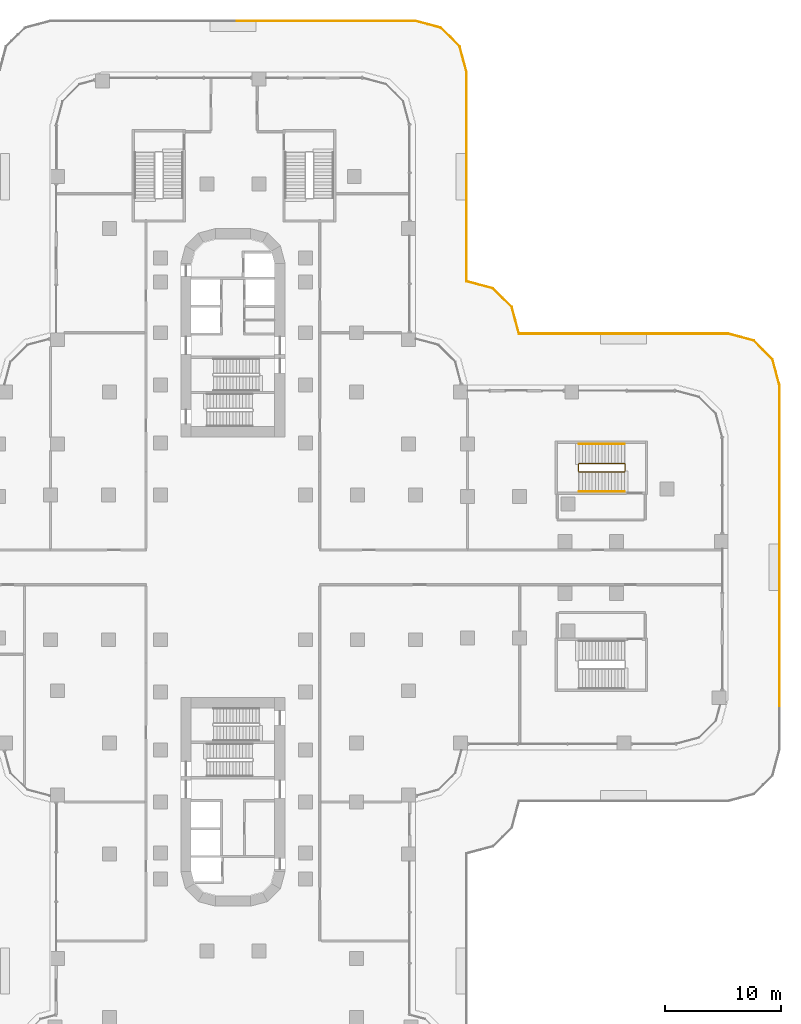
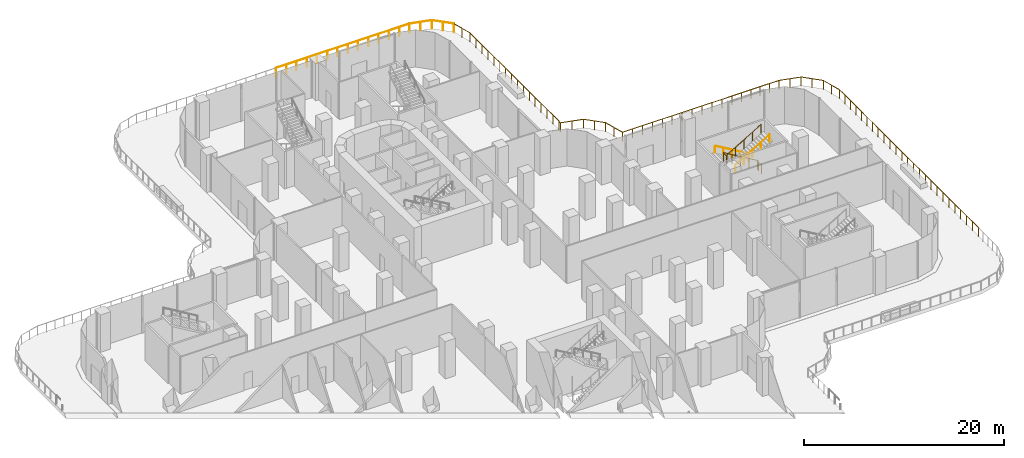
# One storey, part 26 of 27: 8 railings.
"""IFC4 building model written with IfcOpenShell, lengths in metres."""

from ifc_helpers import new_model, si_unit, direction, frame, origin, origin_2d, place, context, subcontext, project, spatial, circle, extrude, material, type_object, element, save


model = new_model("IFC4")

# Units and contexts
model_context = context("Model", 3, precision=1e-05, world=origin(), true_north=direction((0.0, 1.0)))
body_context = subcontext(model_context, "Body", "Model", "MODEL_VIEW")
ifc_project = project(units=[si_unit("LENGTHUNIT", "METRE"), si_unit("AREAUNIT", "SQUARE_METRE"), si_unit("VOLUMEUNIT", "CUBIC_METRE"), si_unit("PLANEANGLEUNIT", "RADIAN"), si_unit("MASSUNIT", "GRAM", prefix="KILO")], contexts=[model_context])

# Site, building, storey
site_placement = place(None, origin())
site = spatial("IfcSite", under=ifc_project, at=site_placement, CompositionType="ELEMENT")
building_placement = place(site_placement, origin())
building = spatial("IfcBuilding", under=site, at=building_placement, Name="Zarbagh Exchange Tower", CompositionType="ELEMENT")
storey_placement = place(building_placement, frame((0.0, 0.0, 17.0)))
storey = spatial("IfcBuildingStorey", under=building, at=storey_placement, Name="L03", CompositionType="ELEMENT", Elevation=17.0)

# Railings
ifc_material_1 = material(Name="Stainless steel", Category="steel")
railing_type_1 = type_object("IfcRailingType", Name="Stair guard 1100 mm", PredefinedType="GUARDRAIL", material=ifc_material_1)
railing_1_placement = place(storey_placement, frame((33.85009765625, 8.300048828125, 0.0)))
element("IfcRailing", 1, at=railing_1_placement, inside=storey, type_object=railing_type_1, Name="PS3 stair guard 1", PredefinedType="GUARDRAIL", context=body_context, shape_type="SweptSolid", body=[
    extrude(circle(Radius=0.02392578125, at=origin_2d()), frame((0.0, 0.0, 1.076171875), z_axis=(0.0, 1.0, 0.0), x_axis=(-1.0, 0.0, 0.0)), (0.0, 0.0, 1.0), 0.599853515625),
    extrude(circle(Radius=0.02392578125, at=origin_2d()), frame((0.0, 0.599853515625, 1.076171875), z_axis=(-0.27628659633, 0.27628659633, 0.920506074601), x_axis=(-0.707106781187, -0.707106781187, 0.0)), (0.0, 0.0, 1.0), 0.18115234375),
    extrude(circle(Radius=0.02392578125, at=origin_2d()), frame((-0.050048828125, 0.64990234375, 1.24267578125), z_axis=(-0.859310244771, 0.0, 0.511454693235), x_axis=(0.0, -1.0, 0.0)), (0.0, 0.0, 1.0), 4.56201171875),
    extrude(circle(Radius=0.02392578125, at=origin_2d()), frame((-3.97021484375, 0.64990234375, 3.576171875), z_axis=(-0.705375805398, -0.708833529934, 0.0), x_axis=(0.708833529934, -0.705375805398, 0.0)), (0.0, 0.0, 1.0), 0.070556640625),
    extrude(circle(Radius=0.02392578125, at=origin_2d()), frame((-4.02001953125, 0.599853515625, 3.576171875), z_axis=(0.0, -1.0, 0.0), x_axis=(1.0, 0.0, 0.0)), (0.0, 0.0, 1.0), 0.599853515625),
    extrude(circle(Radius=0.02392578125, at=origin_2d()), frame((-4.02001953125, 0.0, 3.576171875), z_axis=(0.275041040955, -0.276389281352, 0.920848191041), x_axis=(0.708833529934, 0.705375805398, 0.0)), (0.0, 0.0, 1.0), 0.18115234375),
    extrude(circle(Radius=0.02392578125, at=origin_2d()), frame((-3.97021484375, -0.050048828125, 3.74267578125), z_axis=(0.859310244771, 0.0, 0.511454693235), x_axis=(0.0, 1.0, 0.0)), (0.0, 0.0, 1.0), 4.56201171875),
    extrude(circle(Radius=0.02099609375, at=origin_2d()), origin(), (0.0, 0.0, 1.0), 1.052001953125),
    extrude(circle(Radius=0.02099609375, at=origin_2d()), frame((0.0, 0.599853515625, 0.0)), (0.0, 0.0, 1.0), 1.052001953125),
    extrude(circle(Radius=0.02099609375, at=origin_2d()), frame((-0.050048828125, 0.64990234375, 0.166748046875)), (0.0, 0.0, 1.0), 1.052001953125),
    extrude(circle(Radius=0.02099609375, at=origin_2d()), frame((-1.030029296875, 0.64990234375, 0.75)), (0.0, 0.0, 1.0), 1.052001953125),
    extrude(circle(Radius=0.02099609375, at=origin_2d()), frame((-2.01025390625, 0.64990234375, 1.33349609375)), (0.0, 0.0, 1.0), 1.052001953125),
    extrude(circle(Radius=0.02099609375, at=origin_2d()), frame((-2.990234375, 0.64990234375, 1.916748046875)), (0.0, 0.0, 1.0), 1.052001953125),
    extrude(circle(Radius=0.02099609375, at=origin_2d()), frame((-3.97021484375, 0.64990234375, 2.5)), (0.0, 0.0, 1.0), 1.052001953125),
    extrude(circle(Radius=0.02099609375, at=origin_2d()), frame((-4.02001953125, 0.599853515625, 2.5)), (0.0, 0.0, 1.0), 1.052001953125),
    extrude(circle(Radius=0.02099609375, at=origin_2d()), frame((-4.02001953125, 0.0, 2.5)), (0.0, 0.0, 1.0), 1.052001953125),
    extrude(circle(Radius=0.02099609375, at=origin_2d()), frame((-3.97021484375, -0.050048828125, 2.666748046875)), (0.0, 0.0, 1.0), 1.052001953125),
    extrude(circle(Radius=0.02099609375, at=origin_2d()), frame((-2.990234375, -0.050048828125, 3.25)), (0.0, 0.0, 1.0), 1.052001953125),
    extrude(circle(Radius=0.02099609375, at=origin_2d()), frame((-2.01025390625, -0.050048828125, 3.83349609375)), (0.0, 0.0, 1.0), 1.052001953125),
    extrude(circle(Radius=0.02099609375, at=origin_2d()), frame((-1.030029296875, -0.050048828125, 4.416748046875)), (0.0, 0.0, 1.0), 1.052001953125),
    extrude(circle(Radius=0.02099609375, at=origin_2d()), frame((-0.050048828125, -0.050048828125, 5.0)), (0.0, 0.0, 1.0), 1.052001953125),
])
railing_type_2 = type_object("IfcRailingType", Name="Stair handrail 900 mm", PredefinedType="HANDRAIL", material=ifc_material_1)
railing_2_placement = place(storey_placement, frame((33.800048828125, 10.64990234375, 0.166748046875)))
element("IfcRailing", 2, at=railing_2_placement, inside=storey, type_object=railing_type_2, Name="PS3 stair handrail 1", PredefinedType="HANDRAIL", context=body_context, shape_type="SweptSolid", body=[
    extrude(circle(Radius=0.02392578125, at=origin_2d()), frame((0.0, 0.0, 0.8759765625), z_axis=(-0.859310244771, 0.0, 0.511454693235), x_axis=(0.0, -1.0, 0.0)), (0.0, 0.0, 1.0), 4.56201171875),
    extrude(circle(Radius=0.02099609375, at=origin_2d()), origin(), (0.0, 0.0, 1.0), 0.851806640625),
    extrude(circle(Radius=0.02099609375, at=origin_2d()), frame((-0.97998046875, 0.0, 0.583251953125)), (0.0, 0.0, 1.0), 0.851806640625),
    extrude(circle(Radius=0.02099609375, at=origin_2d()), frame((-1.9599609375, 0.0, 1.16650390625)), (0.0, 0.0, 1.0), 0.851806640625),
    extrude(circle(Radius=0.02099609375, at=origin_2d()), frame((-2.940185546875, 0.0, 1.75)), (0.0, 0.0, 1.0), 0.851806640625),
    extrude(circle(Radius=0.02099609375, at=origin_2d()), frame((-3.920166015625, 0.0, 2.333251953125)), (0.0, 0.0, 1.0), 0.851806640625),
])
railing_3_placement = place(storey_placement, frame((29.8798828125, 6.550048828125, 2.666748046875)))
element("IfcRailing", 3, at=railing_3_placement, inside=storey, type_object=railing_type_2, Name="PS3 stair handrail 2", PredefinedType="HANDRAIL", context=body_context, shape_type="SweptSolid", body=[
    extrude(circle(Radius=0.02392578125, at=origin_2d()), frame((0.0, 0.0, 0.8759765625), z_axis=(0.859310244771, 0.0, 0.511454693235), x_axis=(0.0, 1.0, 0.0)), (0.0, 0.0, 1.0), 4.56201171875),
    extrude(circle(Radius=0.02099609375, at=origin_2d()), origin(), (0.0, 0.0, 1.0), 0.851806640625),
    extrude(circle(Radius=0.02099609375, at=origin_2d()), frame((0.97998046875, 0.0, 0.583251953125)), (0.0, 0.0, 1.0), 0.851806640625),
    extrude(circle(Radius=0.02099609375, at=origin_2d()), frame((1.9599609375, 0.0, 1.16650390625)), (0.0, 0.0, 1.0), 0.851806640625),
    extrude(circle(Radius=0.02099609375, at=origin_2d()), frame((2.940185546875, 0.0, 1.75)), (0.0, 0.0, 1.0), 0.851806640625),
    extrude(circle(Radius=0.02099609375, at=origin_2d()), frame((3.920166015625, 0.0, 2.333251953125)), (0.0, 0.0, 1.0), 0.851806640625),
])
ifc_material_2 = material(Name="Stainless steel and laminated glass", Category="steel")
railing_type_3 = type_object("IfcRailingType", Name="Terrace guard, glass balustrade 1.1 m", PredefinedType="GUARDRAIL", material=ifc_material_2)
railing_4_placement = place(storey_placement, frame((0.34033203125, 47.169921875, 0.0)))
element("IfcRailing", 4, at=railing_4_placement, inside=storey, type_object=railing_type_3, Name="TG01 terrace guard", PredefinedType="GUARDRAIL", context=body_context, shape_type="SweptSolid", body=[
    extrude(circle(Radius=0.02490234375, at=origin_2d()), frame((0.0, 0.0, 1.0751953125), z_axis=(1.0, 0.0, 0.0), x_axis=(0.0, 1.0, 0.0)), (0.0, 0.0, 1.0), 15.399169921875),
    extrude(circle(Radius=0.02490234375, at=origin_2d()), frame((15.399169921875, 0.0, 1.0751953125), z_axis=(0.965936192935, -0.258780353152, 0.0), x_axis=(0.258780353152, 0.965936192935, 0.0)), (0.0, 0.0, 1.0), 2.29736328125),
    extrude(circle(Radius=0.02490234375, at=origin_2d()), frame((17.6181640625, -0.594482421875, 1.0751953125), z_axis=(0.707106781187, -0.707106781187, 0.0), x_axis=(0.707106781187, 0.707106781187, 0.0)), (0.0, 0.0, 1.0), 2.28662109375),
    extrude(circle(Radius=0.02490234375, at=origin_2d()), frame((19.235107421875, -2.21142578125, 1.0751953125), z_axis=(0.259456511346, -0.965754792233, 0.0), x_axis=(0.965754792233, 0.259456511346, 0.0)), (0.0, 0.0, 1.0), 0.016845703125),
    extrude(circle(Radius=0.02490234375, at=origin_2d()), origin(), (0.0, 0.0, 1.0), 1.050048828125),
    extrude(circle(Radius=0.02490234375, at=origin_2d()), frame((1.1845703125, 0.0, 0.0)), (0.0, 0.0, 1.0), 1.050048828125),
    extrude(circle(Radius=0.02490234375, at=origin_2d()), frame((2.369140625, 0.0, 0.0)), (0.0, 0.0, 1.0), 1.050048828125),
    extrude(circle(Radius=0.02490234375, at=origin_2d()), frame((3.5537109375, 0.0, 0.0)), (0.0, 0.0, 1.0), 1.050048828125),
    extrude(circle(Radius=0.02490234375, at=origin_2d()), frame((4.73828125, 0.0, 0.0)), (0.0, 0.0, 1.0), 1.050048828125),
    extrude(circle(Radius=0.02490234375, at=origin_2d()), frame((5.9228515625, 0.0, 0.0)), (0.0, 0.0, 1.0), 1.050048828125),
    extrude(circle(Radius=0.02490234375, at=origin_2d()), frame((7.107421875, 0.0, 0.0)), (0.0, 0.0, 1.0), 1.050048828125),
    extrude(circle(Radius=0.02490234375, at=origin_2d()), frame((8.291748046875, 0.0, 0.0)), (0.0, 0.0, 1.0), 1.050048828125),
    extrude(circle(Radius=0.02490234375, at=origin_2d()), frame((9.476318359375, 0.0, 0.0)), (0.0, 0.0, 1.0), 1.050048828125),
    extrude(circle(Radius=0.02490234375, at=origin_2d()), frame((10.660888671875, 0.0, 0.0)), (0.0, 0.0, 1.0), 1.050048828125),
    extrude(circle(Radius=0.02490234375, at=origin_2d()), frame((11.845458984375, 0.0, 0.0)), (0.0, 0.0, 1.0), 1.050048828125),
    extrude(circle(Radius=0.02490234375, at=origin_2d()), frame((13.030029296875, 0.0, 0.0)), (0.0, 0.0, 1.0), 1.050048828125),
    extrude(circle(Radius=0.02490234375, at=origin_2d()), frame((14.214599609375, 0.0, 0.0)), (0.0, 0.0, 1.0), 1.050048828125),
    extrude(circle(Radius=0.02490234375, at=origin_2d()), frame((15.399169921875, 0.0, 0.0)), (0.0, 0.0, 1.0), 1.050048828125),
    extrude(circle(Radius=0.02490234375, at=origin_2d()), frame((16.5087890625, -0.29736328125, 0.0)), (0.0, 0.0, 1.0), 1.050048828125),
    extrude(circle(Radius=0.02490234375, at=origin_2d()), frame((17.6181640625, -0.594482421875, 0.0)), (0.0, 0.0, 1.0), 1.050048828125),
    extrude(circle(Radius=0.02490234375, at=origin_2d()), frame((18.4267578125, -1.40283203125, 0.0)), (0.0, 0.0, 1.0), 1.050048828125),
    extrude(circle(Radius=0.02490234375, at=origin_2d()), frame((19.235107421875, -2.21142578125, 0.0)), (0.0, 0.0, 1.0), 1.050048828125),
    extrude(circle(Radius=0.02490234375, at=origin_2d()), frame((19.239501953125, -2.227783203125, 0.0)), (0.0, 0.0, 1.0), 1.050048828125),
])
railing_5_placement = place(storey_placement, frame((19.579833984375, 44.942138671875, 0.0)))
element("IfcRailing", 5, at=railing_5_placement, inside=storey, type_object=railing_type_3, Name="TG01 terrace guard", PredefinedType="GUARDRAIL", context=body_context, shape_type="SweptSolid", body=[
    extrude(circle(Radius=0.02490234375, at=origin_2d()), frame((0.0, 0.0, 1.0751953125), z_axis=(0.25877533038, -0.965937538554, 0.0), x_axis=(0.965937538554, 0.25877533038, 0.0)), (0.0, 0.0, 1.0), 2.2802734375),
    extrude(circle(Radius=0.02490234375, at=origin_2d()), frame((0.590087890625, -2.20263671875, 1.0751953125), z_axis=(0.0, -1.0, 0.0), x_axis=(1.0, 0.0, 0.0)), (0.0, 0.0, 1.0), 17.7197265625),
    extrude(circle(Radius=0.02490234375, at=origin_2d()), origin(), (0.0, 0.0, 1.0), 1.050048828125),
    extrude(circle(Radius=0.02490234375, at=origin_2d()), frame((0.294921875, -1.101318359375, 0.0)), (0.0, 0.0, 1.0), 1.050048828125),
    extrude(circle(Radius=0.02490234375, at=origin_2d()), frame((0.590087890625, -2.20263671875, 0.0)), (0.0, 0.0, 1.0), 1.050048828125),
    extrude(circle(Radius=0.02490234375, at=origin_2d()), frame((0.590087890625, -3.384033203125, 0.0)), (0.0, 0.0, 1.0), 1.050048828125),
    extrude(circle(Radius=0.02490234375, at=origin_2d()), frame((0.590087890625, -4.565185546875, 0.0)), (0.0, 0.0, 1.0), 1.050048828125),
    extrude(circle(Radius=0.02490234375, at=origin_2d()), frame((0.590087890625, -5.74658203125, 0.0)), (0.0, 0.0, 1.0), 1.050048828125),
    extrude(circle(Radius=0.02490234375, at=origin_2d()), frame((0.590087890625, -6.927978515625, 0.0)), (0.0, 0.0, 1.0), 1.050048828125),
    extrude(circle(Radius=0.02490234375, at=origin_2d()), frame((0.590087890625, -8.109130859375, 0.0)), (0.0, 0.0, 1.0), 1.050048828125),
    extrude(circle(Radius=0.02490234375, at=origin_2d()), frame((0.590087890625, -9.29052734375, 0.0)), (0.0, 0.0, 1.0), 1.050048828125),
    extrude(circle(Radius=0.02490234375, at=origin_2d()), frame((0.590087890625, -10.471923828125, 0.0)), (0.0, 0.0, 1.0), 1.050048828125),
    extrude(circle(Radius=0.02490234375, at=origin_2d()), frame((0.590087890625, -11.653076171875, 0.0)), (0.0, 0.0, 1.0), 1.050048828125),
    extrude(circle(Radius=0.02490234375, at=origin_2d()), frame((0.590087890625, -12.83447265625, 0.0)), (0.0, 0.0, 1.0), 1.050048828125),
    extrude(circle(Radius=0.02490234375, at=origin_2d()), frame((0.590087890625, -14.015869140625, 0.0)), (0.0, 0.0, 1.0), 1.050048828125),
    extrude(circle(Radius=0.02490234375, at=origin_2d()), frame((0.590087890625, -15.197021484375, 0.0)), (0.0, 0.0, 1.0), 1.050048828125),
    extrude(circle(Radius=0.02490234375, at=origin_2d()), frame((0.590087890625, -16.37841796875, 0.0)), (0.0, 0.0, 1.0), 1.050048828125),
    extrude(circle(Radius=0.02490234375, at=origin_2d()), frame((0.590087890625, -17.559814453125, 0.0)), (0.0, 0.0, 1.0), 1.050048828125),
    extrude(circle(Radius=0.02490234375, at=origin_2d()), frame((0.590087890625, -18.740966796875, 0.0)), (0.0, 0.0, 1.0), 1.050048828125),
    extrude(circle(Radius=0.02490234375, at=origin_2d()), frame((0.590087890625, -19.92236328125, 0.0)), (0.0, 0.0, 1.0), 1.050048828125),
])
railing_6_placement = place(storey_placement, frame((20.169921875, 25.019775390625, 0.0)))
element("IfcRailing", 6, at=railing_6_placement, inside=storey, type_object=railing_type_3, Name="TG01 terrace guard", PredefinedType="GUARDRAIL", context=body_context, shape_type="SweptSolid", body=[
    extrude(circle(Radius=0.02490234375, at=origin_2d()), frame((0.0, 0.0, 1.0751953125), z_axis=(0.0, -1.0, 0.0), x_axis=(1.0, 0.0, 0.0)), (0.0, 0.0, 1.0), 0.3310546875),
    extrude(circle(Radius=0.02490234375, at=origin_2d()), frame((0.0, -0.3310546875, 1.0751953125), z_axis=(0.965919533457, -0.258842529128, 0.0), x_axis=(0.258842529128, 0.965919533457, 0.0)), (0.0, 0.0, 1.0), 2.369384765625),
    extrude(circle(Radius=0.02490234375, at=origin_2d()), frame((2.28857421875, -0.9443359375, 1.0751953125), z_axis=(0.707106781187, -0.707106781187, 0.0), x_axis=(0.707106781187, 0.707106781187, 0.0)), (0.0, 0.0, 1.0), 2.28662109375),
    extrude(circle(Radius=0.02490234375, at=origin_2d()), frame((3.905517578125, -2.561279296875, 1.0751953125), z_axis=(0.258842529128, -0.965919533457, 0.0), x_axis=(0.965919533457, 0.258842529128, 0.0)), (0.0, 0.0, 1.0), 2.369384765625),
    extrude(circle(Radius=0.02490234375, at=origin_2d()), frame((4.518798828125, -4.849853515625, 1.0751953125), z_axis=(1.0, 0.0, 0.0), x_axis=(0.0, 1.0, 0.0)), (0.0, 0.0, 1.0), 12.6435546875),
    extrude(circle(Radius=0.02490234375, at=origin_2d()), origin(), (0.0, 0.0, 1.0), 1.050048828125),
    extrude(circle(Radius=0.02490234375, at=origin_2d()), frame((0.0, -0.3310546875, 0.0)), (0.0, 0.0, 1.0), 1.050048828125),
    extrude(circle(Radius=0.02490234375, at=origin_2d()), frame((1.144287109375, -0.6376953125, 0.0)), (0.0, 0.0, 1.0), 1.050048828125),
    extrude(circle(Radius=0.02490234375, at=origin_2d()), frame((2.28857421875, -0.9443359375, 0.0)), (0.0, 0.0, 1.0), 1.050048828125),
    extrude(circle(Radius=0.02490234375, at=origin_2d()), frame((3.09716796875, -1.7529296875, 0.0)), (0.0, 0.0, 1.0), 1.050048828125),
    extrude(circle(Radius=0.02490234375, at=origin_2d()), frame((3.905517578125, -2.561279296875, 0.0)), (0.0, 0.0, 1.0), 1.050048828125),
    extrude(circle(Radius=0.02490234375, at=origin_2d()), frame((4.212158203125, -3.70556640625, 0.0)), (0.0, 0.0, 1.0), 1.050048828125),
    extrude(circle(Radius=0.02490234375, at=origin_2d()), frame((4.518798828125, -4.849853515625, 0.0)), (0.0, 0.0, 1.0), 1.050048828125),
    extrude(circle(Radius=0.02490234375, at=origin_2d()), frame((5.668212890625, -4.849853515625, 0.0)), (0.0, 0.0, 1.0), 1.050048828125),
    extrude(circle(Radius=0.02490234375, at=origin_2d()), frame((6.817626953125, -4.849853515625, 0.0)), (0.0, 0.0, 1.0), 1.050048828125),
    extrude(circle(Radius=0.02490234375, at=origin_2d()), frame((7.967041015625, -4.849853515625, 0.0)), (0.0, 0.0, 1.0), 1.050048828125),
    extrude(circle(Radius=0.02490234375, at=origin_2d()), frame((9.116455078125, -4.849853515625, 0.0)), (0.0, 0.0, 1.0), 1.050048828125),
    extrude(circle(Radius=0.02490234375, at=origin_2d()), frame((10.265869140625, -4.849853515625, 0.0)), (0.0, 0.0, 1.0), 1.050048828125),
    extrude(circle(Radius=0.02490234375, at=origin_2d()), frame((11.415283203125, -4.849853515625, 0.0)), (0.0, 0.0, 1.0), 1.050048828125),
    extrude(circle(Radius=0.02490234375, at=origin_2d()), frame((12.564697265625, -4.849853515625, 0.0)), (0.0, 0.0, 1.0), 1.050048828125),
    extrude(circle(Radius=0.02490234375, at=origin_2d()), frame((13.714111328125, -4.849853515625, 0.0)), (0.0, 0.0, 1.0), 1.050048828125),
    extrude(circle(Radius=0.02490234375, at=origin_2d()), frame((14.863525390625, -4.849853515625, 0.0)), (0.0, 0.0, 1.0), 1.050048828125),
    extrude(circle(Radius=0.02490234375, at=origin_2d()), frame((16.012939453125, -4.849853515625, 0.0)), (0.0, 0.0, 1.0), 1.050048828125),
    extrude(circle(Radius=0.02490234375, at=origin_2d()), frame((17.162353515625, -4.849853515625, 0.0)), (0.0, 0.0, 1.0), 1.050048828125),
])
railing_7_placement = place(storey_placement, frame((37.332275390625, 20.169921875, 0.0)))
element("IfcRailing", 7, at=railing_7_placement, inside=storey, type_object=railing_type_3, Name="TG01 terrace guard", PredefinedType="GUARDRAIL", context=body_context, shape_type="SweptSolid", body=[
    extrude(circle(Radius=0.02490234375, at=origin_2d()), frame((0.0, 0.0, 1.0751953125), z_axis=(1.0, 0.0, 0.0), x_axis=(0.0, 1.0, 0.0)), (0.0, 0.0, 1.0), 5.4072265625),
    extrude(circle(Radius=0.02490234375, at=origin_2d()), frame((5.4072265625, 0.0, 1.0751953125), z_axis=(0.965936192935, -0.258780353152, 0.0), x_axis=(0.258780353152, 0.965936192935, 0.0)), (0.0, 0.0, 1.0), 2.29736328125),
    extrude(circle(Radius=0.02490234375, at=origin_2d()), frame((7.626220703125, -0.594482421875, 1.0751953125), z_axis=(0.707106781187, -0.707106781187, 0.0), x_axis=(0.707106781187, 0.707106781187, 0.0)), (0.0, 0.0, 1.0), 2.28662109375),
    extrude(circle(Radius=0.02490234375, at=origin_2d()), frame((9.2431640625, -2.21142578125, 1.0751953125), z_axis=(0.258780353152, -0.965936192935, 0.0), x_axis=(0.965936192935, 0.258780353152, 0.0)), (0.0, 0.0, 1.0), 2.29736328125),
    extrude(circle(Radius=0.02490234375, at=origin_2d()), frame((9.837646484375, -4.430419921875, 1.0751953125), z_axis=(0.0, -1.0, 0.0), x_axis=(1.0, 0.0, 0.0)), (0.0, 0.0, 1.0), 7.711669921875),
    extrude(circle(Radius=0.02490234375, at=origin_2d()), origin(), (0.0, 0.0, 1.0), 1.050048828125),
    extrude(circle(Radius=0.02490234375, at=origin_2d()), frame((1.08154296875, 0.0, 0.0)), (0.0, 0.0, 1.0), 1.050048828125),
    extrude(circle(Radius=0.02490234375, at=origin_2d()), frame((2.162841796875, 0.0, 0.0)), (0.0, 0.0, 1.0), 1.050048828125),
    extrude(circle(Radius=0.02490234375, at=origin_2d()), frame((3.244384765625, 0.0, 0.0)), (0.0, 0.0, 1.0), 1.050048828125),
    extrude(circle(Radius=0.02490234375, at=origin_2d()), frame((4.32568359375, 0.0, 0.0)), (0.0, 0.0, 1.0), 1.050048828125),
    extrude(circle(Radius=0.02490234375, at=origin_2d()), frame((5.4072265625, 0.0, 0.0)), (0.0, 0.0, 1.0), 1.050048828125),
    extrude(circle(Radius=0.02490234375, at=origin_2d()), frame((6.5166015625, -0.29736328125, 0.0)), (0.0, 0.0, 1.0), 1.050048828125),
    extrude(circle(Radius=0.02490234375, at=origin_2d()), frame((7.626220703125, -0.594482421875, 0.0)), (0.0, 0.0, 1.0), 1.050048828125),
    extrude(circle(Radius=0.02490234375, at=origin_2d()), frame((8.4345703125, -1.40283203125, 0.0)), (0.0, 0.0, 1.0), 1.050048828125),
    extrude(circle(Radius=0.02490234375, at=origin_2d()), frame((9.2431640625, -2.21142578125, 0.0)), (0.0, 0.0, 1.0), 1.050048828125),
    extrude(circle(Radius=0.02490234375, at=origin_2d()), frame((9.54052734375, -3.32080078125, 0.0)), (0.0, 0.0, 1.0), 1.050048828125),
    extrude(circle(Radius=0.02490234375, at=origin_2d()), frame((9.837646484375, -4.430419921875, 0.0)), (0.0, 0.0, 1.0), 1.050048828125),
    extrude(circle(Radius=0.02490234375, at=origin_2d()), frame((9.837646484375, -5.531982421875, 0.0)), (0.0, 0.0, 1.0), 1.050048828125),
    extrude(circle(Radius=0.02490234375, at=origin_2d()), frame((9.837646484375, -6.6337890625, 0.0)), (0.0, 0.0, 1.0), 1.050048828125),
    extrude(circle(Radius=0.02490234375, at=origin_2d()), frame((9.837646484375, -7.7353515625, 0.0)), (0.0, 0.0, 1.0), 1.050048828125),
    extrude(circle(Radius=0.02490234375, at=origin_2d()), frame((9.837646484375, -8.837158203125, 0.0)), (0.0, 0.0, 1.0), 1.050048828125),
    extrude(circle(Radius=0.02490234375, at=origin_2d()), frame((9.837646484375, -9.938720703125, 0.0)), (0.0, 0.0, 1.0), 1.050048828125),
    extrude(circle(Radius=0.02490234375, at=origin_2d()), frame((9.837646484375, -11.04052734375, 0.0)), (0.0, 0.0, 1.0), 1.050048828125),
    extrude(circle(Radius=0.02490234375, at=origin_2d()), frame((9.837646484375, -12.14208984375, 0.0)), (0.0, 0.0, 1.0), 1.050048828125),
])
railing_8_placement = place(storey_placement, frame((47.169921875, 8.02783203125, 0.0)))
element("IfcRailing", 8, at=railing_8_placement, inside=storey, type_object=railing_type_3, Name="TG01 terrace guard", PredefinedType="GUARDRAIL", context=body_context, shape_type="SweptSolid", body=[
    extrude(circle(Radius=0.02490234375, at=origin_2d()), frame((0.0, 0.0, 1.0751953125), z_axis=(0.0, -1.0, 0.0), x_axis=(1.0, 0.0, 0.0)), (0.0, 0.0, 1.0), 20.0),
    extrude(circle(Radius=0.02490234375, at=origin_2d()), origin(), (0.0, 0.0, 1.0), 1.050048828125),
    extrude(circle(Radius=0.02490234375, at=origin_2d()), frame((0.0, -1.176513671875, 0.0)), (0.0, 0.0, 1.0), 1.050048828125),
    extrude(circle(Radius=0.02490234375, at=origin_2d()), frame((0.0, -2.35302734375, 0.0)), (0.0, 0.0, 1.0), 1.050048828125),
    extrude(circle(Radius=0.02490234375, at=origin_2d()), frame((0.0, -3.529296875, 0.0)), (0.0, 0.0, 1.0), 1.050048828125),
    extrude(circle(Radius=0.02490234375, at=origin_2d()), frame((0.0, -4.705810546875, 0.0)), (0.0, 0.0, 1.0), 1.050048828125),
    extrude(circle(Radius=0.02490234375, at=origin_2d()), frame((0.0, -5.88232421875, 0.0)), (0.0, 0.0, 1.0), 1.050048828125),
    extrude(circle(Radius=0.02490234375, at=origin_2d()), frame((0.0, -7.058837890625, 0.0)), (0.0, 0.0, 1.0), 1.050048828125),
    extrude(circle(Radius=0.02490234375, at=origin_2d()), frame((0.0, -8.2353515625, 0.0)), (0.0, 0.0, 1.0), 1.050048828125),
    extrude(circle(Radius=0.02490234375, at=origin_2d()), frame((0.0, -9.411865234375, 0.0)), (0.0, 0.0, 1.0), 1.050048828125),
    extrude(circle(Radius=0.02490234375, at=origin_2d()), frame((0.0, -10.588134765625, 0.0)), (0.0, 0.0, 1.0), 1.050048828125),
    extrude(circle(Radius=0.02490234375, at=origin_2d()), frame((0.0, -11.7646484375, 0.0)), (0.0, 0.0, 1.0), 1.050048828125),
    extrude(circle(Radius=0.02490234375, at=origin_2d()), frame((0.0, -12.941162109375, 0.0)), (0.0, 0.0, 1.0), 1.050048828125),
    extrude(circle(Radius=0.02490234375, at=origin_2d()), frame((0.0, -14.11767578125, 0.0)), (0.0, 0.0, 1.0), 1.050048828125),
    extrude(circle(Radius=0.02490234375, at=origin_2d()), frame((0.0, -15.294189453125, 0.0)), (0.0, 0.0, 1.0), 1.050048828125),
    extrude(circle(Radius=0.02490234375, at=origin_2d()), frame((0.0, -16.470703125, 0.0)), (0.0, 0.0, 1.0), 1.050048828125),
    extrude(circle(Radius=0.02490234375, at=origin_2d()), frame((0.0, -17.64697265625, 0.0)), (0.0, 0.0, 1.0), 1.050048828125),
    extrude(circle(Radius=0.02490234375, at=origin_2d()), frame((0.0, -18.823486328125, 0.0)), (0.0, 0.0, 1.0), 1.050048828125),
    extrude(circle(Radius=0.02490234375, at=origin_2d()), frame((0.0, -20.0, 0.0)), (0.0, 0.0, 1.0), 1.050048828125),
])

save(model, "model.ifc")
